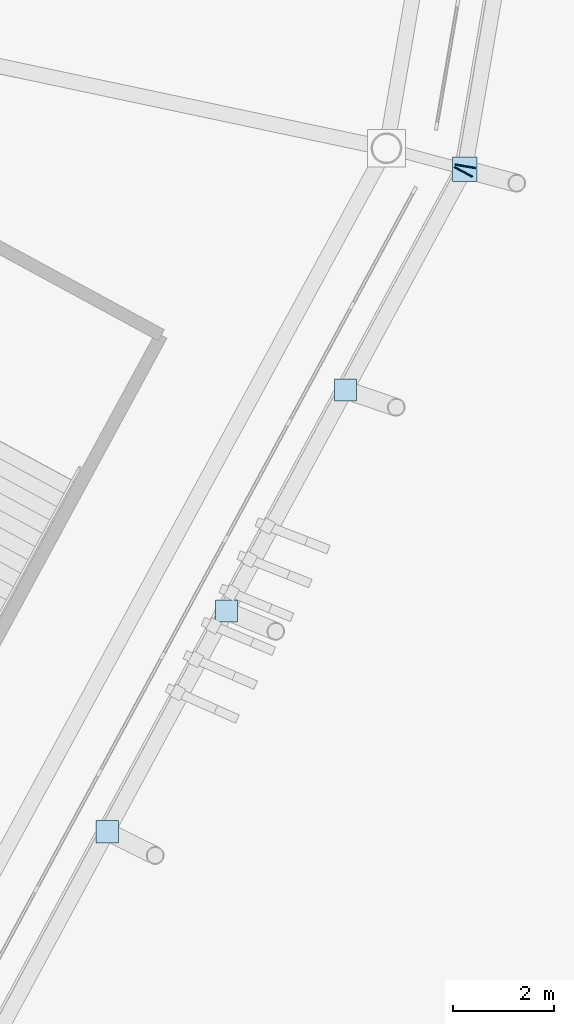
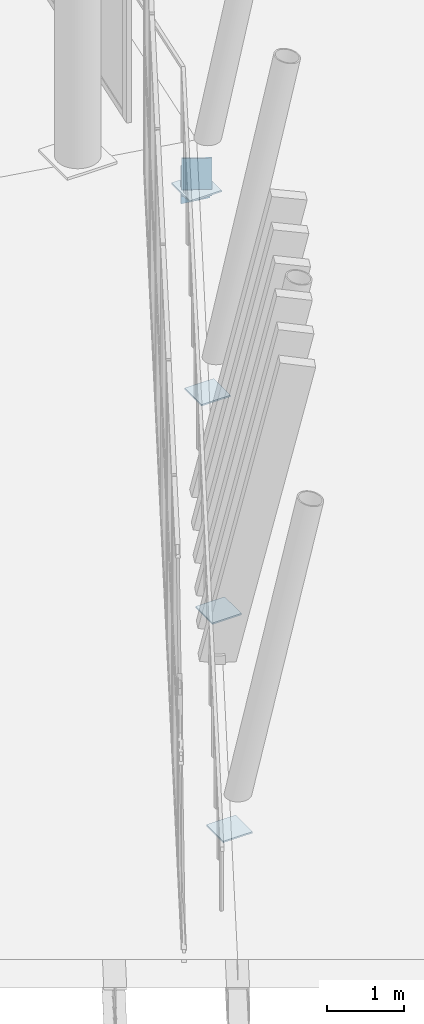
# One storey, part 111 of 178: 6 plates.
"""IFC4 building model written with IfcOpenShell, lengths in metres."""

from ifc_helpers import new_model, si_unit, direction, frame, origin, origin_2d, place, context, subcontext, project, spatial, rectangle, extrude, material, layer, layer_set, type_object, element, save


model = new_model("IFC4")

# Units and contexts
model_context = context("Model", 3, precision=1e-05, world=origin(), true_north=direction((0.0, 1.0)))
body_context = subcontext(model_context, "Body", "Model", "MODEL_VIEW")
ifc_project = project(units=[si_unit("LENGTHUNIT", "METRE"), si_unit("AREAUNIT", "SQUARE_METRE"), si_unit("VOLUMEUNIT", "CUBIC_METRE"), si_unit("PLANEANGLEUNIT", "RADIAN"), si_unit("MASSUNIT", "GRAM", prefix="KILO")], contexts=[model_context])

# Site, building, storey
site_placement = place(None, origin())
site = spatial("IfcSite", under=ifc_project, at=site_placement, CompositionType="ELEMENT")
building_placement = place(site_placement, origin())
building = spatial("IfcBuilding", under=site, at=building_placement, Name="Zlatoyarsky Gate Stadium", CompositionType="ELEMENT")
storey_placement = place(building_placement, frame((0.0, 0.0, 5.39990234375)))
storey = spatial("IfcBuildingStorey", under=building, at=storey_placement, Name="L01", CompositionType="ELEMENT", Elevation=5.39990234375)

# Plates
ifc_material = material(Name="Steel S355", Category="steel")
ifc_layer = layer(ifc_material, 0.02392578125)
ifc_layer_set = layer_set([ifc_layer], Name="Steel S355")
plate_type = type_object("IfcPlateType", Name="STEEL HOLLOW CHORD SPLICE SHEET 24", PredefinedType="SHEET", material=ifc_layer_set)
for number, where, z_axis, x_axis, name in (
    (1, (202.356201171875, 61.15478515625, -0.849853515625), (0.0, 0.0, 1.0), (0.474955457217, 0.880009837252, 0.0), "Hollow end cap ND-SP1 CAP-L01-SPD-22 B"),
    (2, (202.39501953125, 61.2666015625, -1.010009765625), (0.0, 0.0, 1.0), (0.169072263446, 0.985603657528, 0.0), "Hollow end cap ND-SP1 CAP-L01-SPD-23 A"),
):
    element("IfcPlate", number, at=place(storey_placement, frame(where, z_axis=z_axis, x_axis=x_axis)), inside=storey, type_object=plate_type, Name=name, PredefinedType="SHEET", context=body_context, shape_type="SweptSolid", body=[
        extrude(rectangle(XDim=0.02392578125, YDim=0.39990234375, at=origin_2d()), origin(), (0.0, 0.0, 1.0), 0.60009765625),
    ])
plate_placement = place(storey_placement, frame((202.384765625, 61.20751953125, -0.77197265625), z_axis=(0.0, 0.0, 1.0), x_axis=(1.0, 0.0, 0.0)))
element("IfcPlate", 3, at=plate_placement, inside=storey, type_object=plate_type, Name="Node closure plate ND-SP1 NCAP-L01-RSTR-23", PredefinedType="SHEET", context=body_context, shape_type="SweptSolid", body=[
    extrude(rectangle(XDim=0.47998046875, YDim=0.47998046875, at=origin_2d()), origin(), (0.0, 0.0, 1.0), 0.02392578125),
])
for number, where, z_axis, x_axis, name in (
    (4, (195.29638671875, 48.07373046875, -0.561767578125), (0.0, 0.0, 1.0), (1.0, 0.0, 0.0), "Node closure plate ND-SP1 NCAP-RIB-22-1-0B"),
    (5, (197.6591796875, 52.45166015625, -0.561767578125), (0.0, 0.0, 1.0), (1.0, 0.0, 0.0), "Node closure plate ND-SP1 NCAP-RIB-22-2-0B"),
    (6, (200.02197265625, 56.82958984375, -0.561767578125), (0.0, 0.0, 1.0), (1.0, 0.0, 0.0), "Node closure plate ND-SP1 NCAP-RIB-22-3-0B"),
):
    element("IfcPlate", number, at=place(storey_placement, frame(where, z_axis=z_axis, x_axis=x_axis)), inside=storey, type_object=plate_type, Name=name, PredefinedType="SHEET", context=body_context, shape_type="SweptSolid", body=[
        extrude(rectangle(XDim=0.43994140625, YDim=0.43994140625, at=origin_2d()), origin(), (0.0, 0.0, 1.0), 0.02392578125),
    ])

save(model, "model.ifc")
